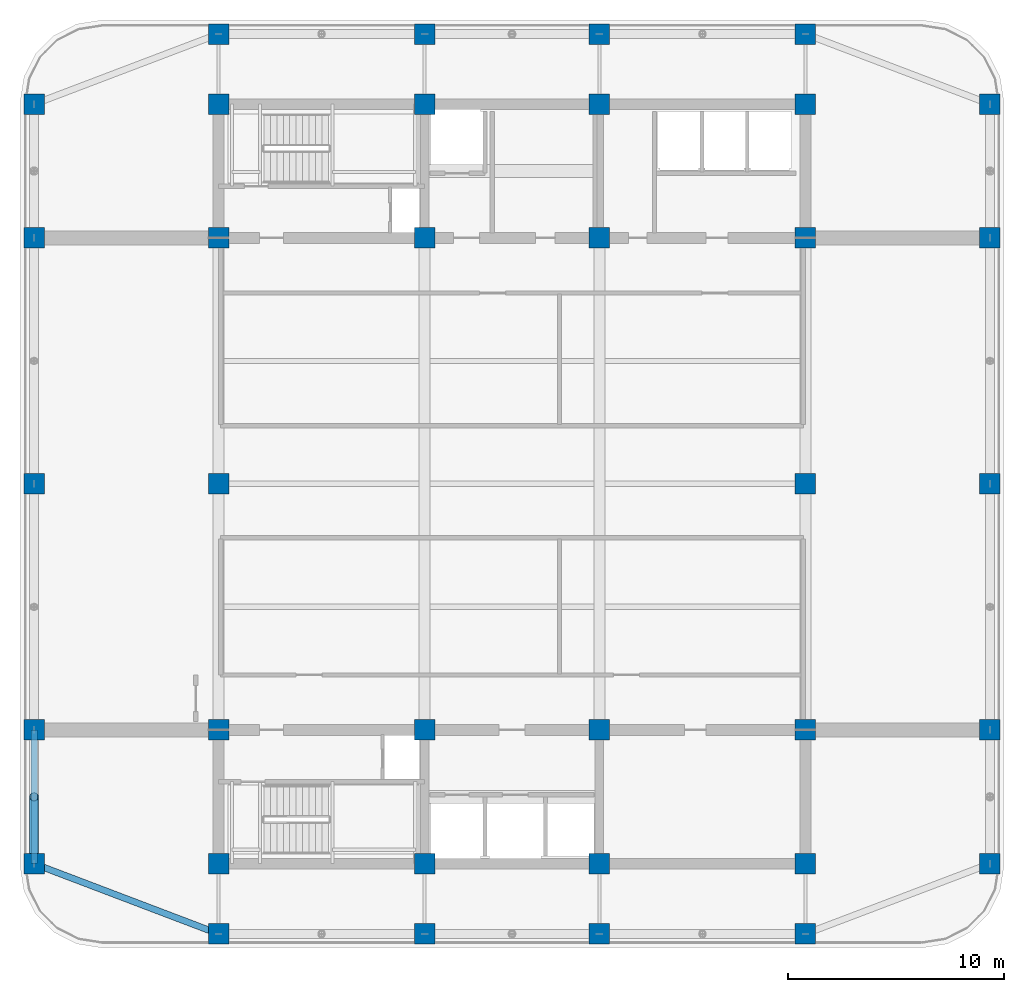
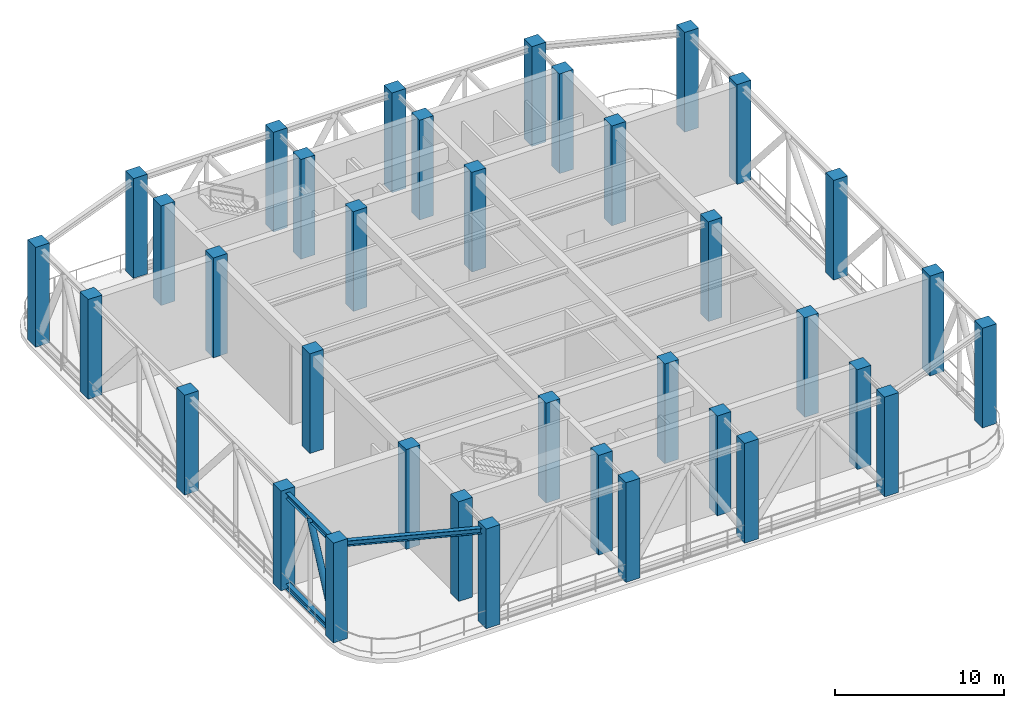
# One storey, part 1 of 20: 36 columns, 3 beams, 1 member.
"""IFC4 building model written with IfcOpenShell, lengths in metres."""

from ifc_helpers import new_model, si_unit, direction, frame, origin, origin_2d, place, context, subcontext, project, spatial, rectangle, hollow_circle, i_section, extrude, material, material_profile, profile_set, type_object, element, save


model = new_model("IFC4")

# Units and contexts
model_context = context("Model", 3, precision=1e-05, world=origin(), true_north=direction((0.0, 1.0)))
body_context = subcontext(model_context, "Body", "Model", "MODEL_VIEW")
ifc_project = project(units=[si_unit("LENGTHUNIT", "METRE"), si_unit("AREAUNIT", "SQUARE_METRE"), si_unit("VOLUMEUNIT", "CUBIC_METRE"), si_unit("PLANEANGLEUNIT", "RADIAN"), si_unit("MASSUNIT", "GRAM", prefix="KILO")], contexts=[model_context])

# Site, building, storey
site_placement = place(None, origin())
site = spatial("IfcSite", under=ifc_project, at=site_placement, CompositionType="ELEMENT")
building_placement = place(site_placement, origin())
building = spatial("IfcBuilding", under=site, at=building_placement, Name="Svetorya Sky Lyceum", CompositionType="ELEMENT")
storey_placement = place(building_placement, frame((0.0, 0.0, 195.89990234375)))
storey = spatial("IfcBuildingStorey", under=building, at=storey_placement, Name="L49", CompositionType="ELEMENT", Elevation=195.89990234375)

# Columns
ifc_material_1 = material(Name="Concrete C50/60", Category="concrete")
ifc_material_profile_1 = material_profile(ifc_material_1, rectangle(XDim=0.949951171875, YDim=0.949951171875, at=origin_2d()), Name="RC COL 950x950")
ifc_profile_set_1 = profile_set([ifc_material_profile_1], Name="Concrete C50/60")
column_type = type_object("IfcColumnType", Name="COL-RC-950", PredefinedType="COLUMN", material=ifc_profile_set_1)
for number, where, z_axis, x_axis, name in (
    (1, (25.60009765625, 10.60009765625, 0.0), (0.0, 0.0, 1.0), (1.0, 0.0, 0.0), "L49 Core Column CS-11"),
    (2, (25.60009765625, 16.800048828125, 0.0), (0.0, 0.0, 1.0), (1.0, 0.0, 0.0), "L49 Core Column CS-12"),
    (3, (35.14990234375, 10.60009765625, 0.0), (0.0, 0.0, 1.0), (1.0, 0.0, 0.0), "L49 Core Column CS-21"),
    (4, (35.14990234375, 16.800048828125, 0.0), (0.0, 0.0, 1.0), (1.0, 0.0, 0.0), "L49 Core Column CS-22"),
    (5, (43.25, 10.60009765625, 0.0), (0.0, 0.0, 1.0), (1.0, 0.0, 0.0), "L49 Core Column CS-31"),
    (6, (43.25, 16.800048828125, 0.0), (0.0, 0.0, 1.0), (1.0, 0.0, 0.0), "L49 Core Column CS-32"),
    (7, (52.800048828125, 10.60009765625, 0.0), (0.0, 0.0, 1.0), (1.0, 0.0, 0.0), "L49 Core Column CS-41"),
    (8, (52.800048828125, 16.800048828125, 0.0), (0.0, 0.0, 1.0), (1.0, 0.0, 0.0), "L49 Core Column CS-42"),
    (9, (25.60009765625, 39.60009765625, 0.0), (0.0, 0.0, 1.0), (1.0, 0.0, 0.0), "L49 Core Column CN-11"),
    (10, (25.60009765625, 45.800048828125, 0.0), (0.0, 0.0, 1.0), (1.0, 0.0, 0.0), "L49 Core Column CN-12"),
    (11, (35.14990234375, 39.60009765625, 0.0), (0.0, 0.0, 1.0), (1.0, 0.0, 0.0), "L49 Core Column CN-21"),
    (12, (35.14990234375, 45.800048828125, 0.0), (0.0, 0.0, 1.0), (1.0, 0.0, 0.0), "L49 Core Column CN-22"),
    (13, (43.25, 39.60009765625, 0.0), (0.0, 0.0, 1.0), (1.0, 0.0, 0.0), "L49 Core Column CN-31"),
    (14, (43.25, 45.800048828125, 0.0), (0.0, 0.0, 1.0), (1.0, 0.0, 0.0), "L49 Core Column CN-32"),
    (15, (52.800048828125, 39.60009765625, 0.0), (0.0, 0.0, 1.0), (1.0, 0.0, 0.0), "L49 Core Column CN-41"),
    (16, (52.800048828125, 45.800048828125, 0.0), (0.0, 0.0, 1.0), (1.0, 0.0, 0.0), "L49 Core Column CN-42"),
    (17, (25.60009765625, 28.199951171875, 0.0), (0.0, 0.0, 1.0), (1.0, 0.0, 0.0), "L49 Core Column CM-W"),
    (18, (52.800048828125, 28.199951171875, 0.0), (0.0, 0.0, 1.0), (1.0, 0.0, 0.0), "L49 Core Column CM-E"),
    (19, (25.60009765625, 7.35009765625, 0.0), (0.0, 0.0, 1.0), (1.0, 0.0, 0.0), "L49 Perimeter Column S1"),
    (20, (25.60009765625, 49.050048828125, 0.0), (0.0, 0.0, 1.0), (1.0, 0.0, 0.0), "L49 Perimeter Column N1"),
    (21, (35.14990234375, 7.35009765625, 0.0), (0.0, 0.0, 1.0), (1.0, 0.0, 0.0), "L49 Perimeter Column S2"),
    (22, (35.14990234375, 49.050048828125, 0.0), (0.0, 0.0, 1.0), (1.0, 0.0, 0.0), "L49 Perimeter Column N2"),
    (23, (43.25, 7.35009765625, 0.0), (0.0, 0.0, 1.0), (1.0, 0.0, 0.0), "L49 Perimeter Column S3"),
    (24, (43.25, 49.050048828125, 0.0), (0.0, 0.0, 1.0), (1.0, 0.0, 0.0), "L49 Perimeter Column N3"),
    (25, (52.800048828125, 7.35009765625, 0.0), (0.0, 0.0, 1.0), (1.0, 0.0, 0.0), "L49 Perimeter Column S4"),
    (26, (52.800048828125, 49.050048828125, 0.0), (0.0, 0.0, 1.0), (1.0, 0.0, 0.0), "L49 Perimeter Column N4"),
    (27, (17.050048828125, 10.60009765625, 0.0), (0.0, 0.0, 1.0), (1.0, 0.0, 0.0), "L49 Perimeter Column W1"),
    (28, (61.35009765625, 10.60009765625, 0.0), (0.0, 0.0, 1.0), (1.0, 0.0, 0.0), "L49 Perimeter Column E1"),
    (29, (17.050048828125, 16.800048828125, 0.0), (0.0, 0.0, 1.0), (1.0, 0.0, 0.0), "L49 Perimeter Column W2"),
    (30, (61.35009765625, 16.800048828125, 0.0), (0.0, 0.0, 1.0), (1.0, 0.0, 0.0), "L49 Perimeter Column E2"),
    (31, (17.050048828125, 28.199951171875, 0.0), (0.0, 0.0, 1.0), (1.0, 0.0, 0.0), "L49 Perimeter Column W3"),
    (32, (61.35009765625, 28.199951171875, 0.0), (0.0, 0.0, 1.0), (1.0, 0.0, 0.0), "L49 Perimeter Column E3"),
    (33, (17.050048828125, 39.60009765625, 0.0), (0.0, 0.0, 1.0), (1.0, 0.0, 0.0), "L49 Perimeter Column W4"),
    (34, (61.35009765625, 39.60009765625, 0.0), (0.0, 0.0, 1.0), (1.0, 0.0, 0.0), "L49 Perimeter Column E4"),
    (35, (17.050048828125, 45.800048828125, 0.0), (0.0, 0.0, 1.0), (1.0, 0.0, 0.0), "L49 Perimeter Column W5"),
    (36, (61.35009765625, 45.800048828125, 0.0), (0.0, 0.0, 1.0), (1.0, 0.0, 0.0), "L49 Perimeter Column E5"),
):
    element("IfcColumn", number, at=place(storey_placement, frame(where, z_axis=z_axis, x_axis=x_axis)), inside=storey, type_object=column_type, Name=name, PredefinedType="COLUMN", context=body_context, shape_type="SweptSolid", body=[
        extrude(rectangle(XDim=0.949951171875, YDim=0.949951171875, at=origin_2d()), origin(), (0.0, 0.0, 1.0), 7.2001953125),
    ])

# Beams
ifc_material_2 = material(Name="Steel S355", Category="steel")
ifc_material_profile_2 = material_profile(ifc_material_2, i_section(OverallWidth=0.300048828125, OverallDepth=0.39404296875, WebThickness=0.010986328125, FlangeThickness=0.0166015625, at=origin_2d()), Name="GOST 40Sh2")
ifc_profile_set_2 = profile_set([ifc_material_profile_2], Name="Steel S355")
beam_type = type_object("IfcBeamType", Name="BM-STL-40SH2", PredefinedType="BEAM", material=ifc_profile_set_2)
for number, where, z_axis, x_axis, name in (
    (37, (17.050048828125, 10.60009765625, 0.197021484375), (0.0, 1.0, 0.0), (-1.0, 0.0, 0.0), "L49 Belt Truss Bottom Chord W-1"),
    (38, (17.050048828125, 10.60009765625, 6.7431640625), (0.0, 1.0, 0.0), (-1.0, 0.0, 0.0), "L49 Belt Truss Top Chord W-1"),
):
    element("IfcBeam", number, at=place(storey_placement, frame(where, z_axis=z_axis, x_axis=x_axis)), inside=storey, type_object=beam_type, Name=name, PredefinedType="BEAM", context=body_context, shape_type="SweptSolid", body=[
        extrude(i_section(OverallWidth=0.300048828125, OverallDepth=0.39404296875, WebThickness=0.010986328125, FlangeThickness=0.0166015625, at=origin_2d()), origin(), (0.0, 0.0, 1.0), 6.199951171875),
    ])
beam_placement = place(storey_placement, frame((25.60009765625, 7.35009765625, 6.7431640625), z_axis=(-0.934747947367, 0.355311518099, 0.0), x_axis=(-0.355311518099, -0.934747947367, 0.0)))
element("IfcBeam", 39, at=beam_placement, inside=storey, type_object=beam_type, Name="L49 Belt Truss Corner Tie 1", PredefinedType="BEAM", context=body_context, shape_type="SweptSolid", body=[
    extrude(i_section(OverallWidth=0.300048828125, OverallDepth=0.39404296875, WebThickness=0.010986328125, FlangeThickness=0.0166015625, at=origin_2d()), origin(), (0.0, 0.0, 1.0), 9.14697265625),
])

# Member
ifc_material_profile_3 = material_profile(ifc_material_2, hollow_circle(Radius=0.212890625, WallThickness=0.01806640625, at=origin_2d()), Name="CHS 426x18")
ifc_profile_set_3 = profile_set([ifc_material_profile_3], Name="Steel S355")
member_type = type_object("IfcMemberType", Name="MB-BRC-CHS426", PredefinedType="BRACE", material=ifc_profile_set_3)
member_placement = place(storey_placement, frame((17.050048828125, 10.60009765625, 0.197021484375), z_axis=(0.0, 0.427979119576, 0.903788621973), x_axis=(-1.0, 0.0, 0.0)))
element("IfcMember", 40, at=member_placement, inside=storey, type_object=member_type, Name="L49 Belt Truss Diagonal W-1A", PredefinedType="BRACE", context=body_context, shape_type="SweptSolid", body=[
    extrude(hollow_circle(Radius=0.212890625, WallThickness=0.01806640625, at=origin_2d()), origin(), (0.0, 0.0, 1.0), 7.242919921875),
])

save(model, "model.ifc")
